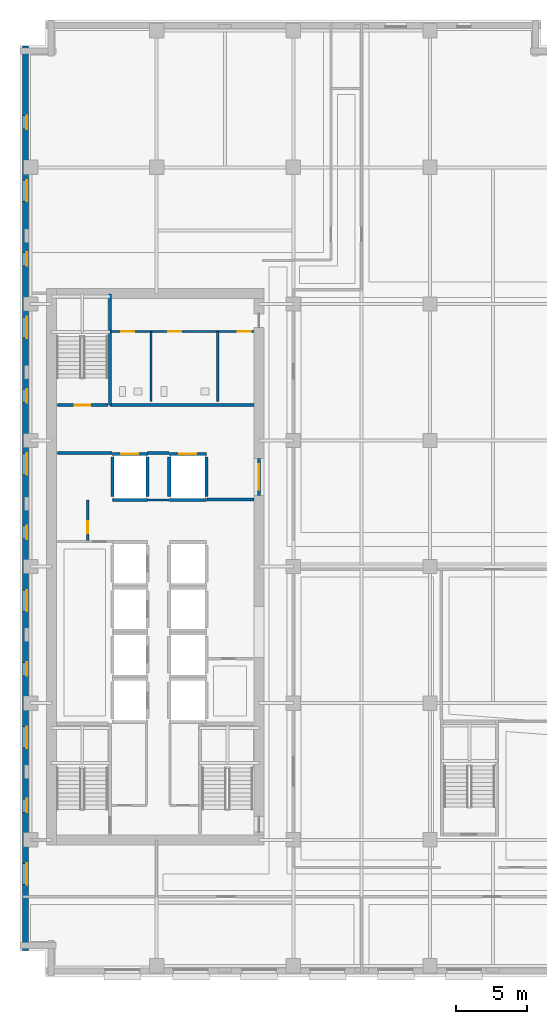
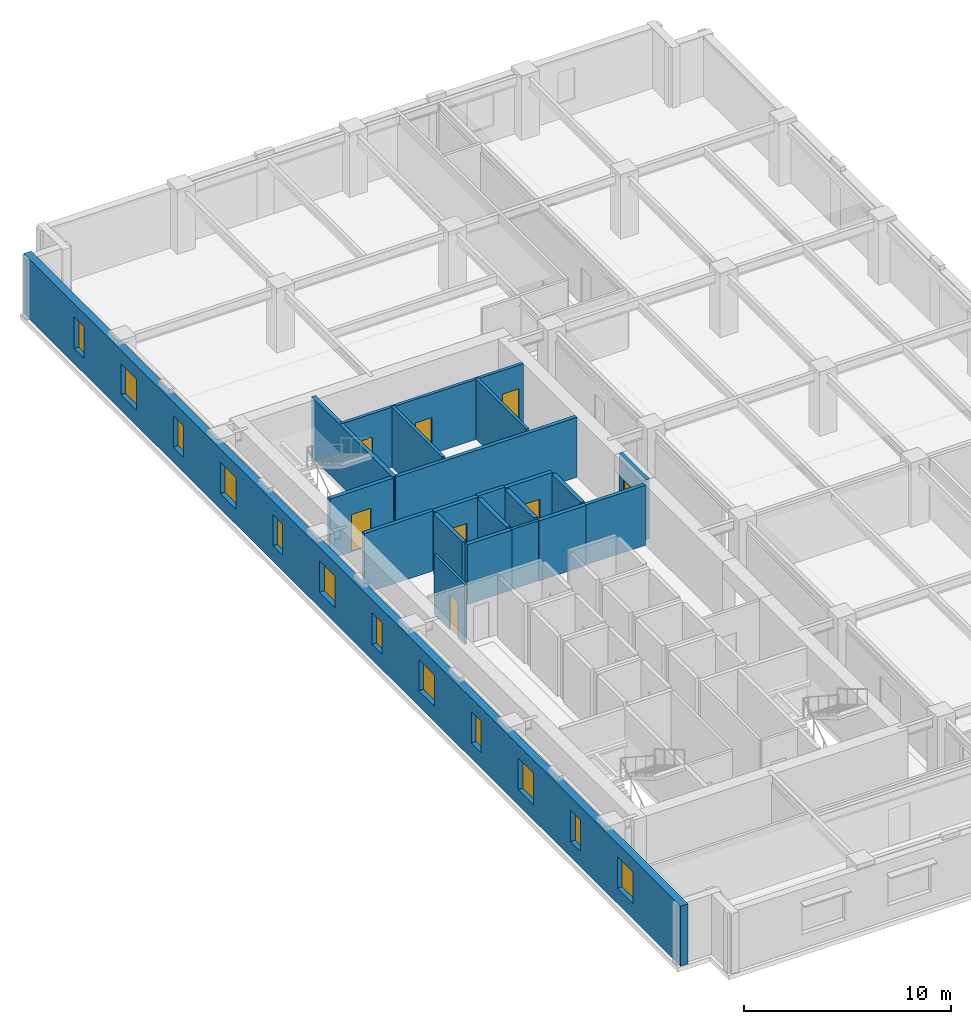
# One storey, part 6 of 12: 21 walls, 12 windows, 8 doors, 20 openings.
"""IFC4 building model written with IfcOpenShell, lengths in metres."""

from ifc_helpers import new_model, si_unit, direction, frame, frame_2d, origin, place, context, subcontext, project, spatial, rectangle, extrude, material, layer, layer_set, type_object, element, fill, save


model = new_model("IFC4")

# Units and contexts
model_context = context("Model", 3, precision=1e-05, world=origin(), true_north=direction((0.0, 1.0)))
body_context = subcontext(model_context, "Body", "Model", "MODEL_VIEW")
ifc_project = project(units=[si_unit("LENGTHUNIT", "METRE"), si_unit("AREAUNIT", "SQUARE_METRE"), si_unit("VOLUMEUNIT", "CUBIC_METRE"), si_unit("PLANEANGLEUNIT", "RADIAN"), si_unit("MASSUNIT", "GRAM", prefix="KILO")], contexts=[model_context])

# Site, building, storey
site_placement = place(None, origin())
site = spatial("IfcSite", under=ifc_project, at=site_placement, CompositionType="ELEMENT")
building_placement = place(site_placement, origin())
building = spatial("IfcBuilding", under=site, at=building_placement, Name="Norrvale University Quadrangle", CompositionType="ELEMENT")
storey_placement = place(building_placement, frame((0.0, 0.0, 135.60009765625)))
storey = spatial("IfcBuildingStorey", under=building, at=storey_placement, Name="L34", CompositionType="ELEMENT", Elevation=135.60009765625)

# Wall, openings, windows
ifc_material_1 = material(Name="Buff Norman Clay Brick Masonry", Category="masonry")
ifc_layer_1 = layer(ifc_material_1, 0.419921875, Name="Buff Norman Clay Brick Masonry")
ifc_layer_set_1 = layer_set([ifc_layer_1], Name="Buff Norman Clay Brick Masonry")
wall_type_1 = type_object("IfcWallType", Name="Wall Buff Brick 420", PredefinedType="SOLIDWALL", material=ifc_layer_set_1)
wall_1_placement = place(storey_placement, frame((0.389892578125, 65.360107421875, 0.0), z_axis=(0.0, 0.0, 1.0), x_axis=(0.0, -1.0, 0.0)))
wall_1 = element("IfcWall", 1, at=wall_1_placement, inside=storey, type_object=wall_type_1, Name="Exterior Brick Facade Wall L34-14.1", PredefinedType="SOLIDWALL", context=body_context, shape_type="SweptSolid", body=[
    extrude(rectangle(XDim=63.52001953125, YDim=0.419921875, at=frame_2d((31.760009765625, 0.0))), origin(), (0.0, 0.0, 1.0), 3.539794921875),
])
opening_1_placement = place(wall_1_placement, frame((4.885009765625, 0.0, 0.89990234375)))
opening_1 = element("IfcOpeningElement", 2, at=opening_1_placement, cuts=wall_1, Name="Opening W04", PredefinedType="OPENING", context=body_context, shape_type="SweptSolid", body=[
    extrude(rectangle(XDim=0.949951171875, YDim=1.85009765625, at=frame_2d((0.47509765625, 0.925048828125))), frame((0.0, 0.221923828125, 0.0), z_axis=(0.0, -1.0, 0.0), x_axis=(1.0, 0.0, 0.0)), (0.0, 0.0, 1.0), 0.44384765625),
])
opening_2_placement = place(wall_1_placement, frame((9.409912109375, 0.0, 0.89990234375)))
opening_2 = element("IfcOpeningElement", 3, at=opening_2_placement, cuts=wall_1, Name="Opening W03", PredefinedType="OPENING", context=body_context, shape_type="SweptSolid", body=[
    extrude(rectangle(XDim=1.5, YDim=1.85009765625, at=frame_2d((0.75, 0.925048828125))), frame((0.0, 0.221923828125, 0.0), z_axis=(0.0, -1.0, 0.0), x_axis=(1.0, 0.0, 0.0)), (0.0, 0.0, 1.0), 0.44384765625),
])
opening_3_placement = place(wall_1_placement, frame((14.485107421875, 0.0, 0.89990234375)))
opening_3 = element("IfcOpeningElement", 4, at=opening_3_placement, cuts=wall_1, Name="Opening W04", PredefinedType="OPENING", context=body_context, shape_type="SweptSolid", body=[
    extrude(rectangle(XDim=0.949951171875, YDim=1.85009765625, at=frame_2d((0.47509765625, 0.925048828125))), frame((0.0, 0.221923828125, 0.0), z_axis=(0.0, -1.0, 0.0), x_axis=(1.0, 0.0, 0.0)), (0.0, 0.0, 1.0), 0.44384765625),
])
opening_4_placement = place(wall_1_placement, frame((19.010009765625, 0.0, 0.89990234375)))
opening_4 = element("IfcOpeningElement", 5, at=opening_4_placement, cuts=wall_1, Name="Opening W03", PredefinedType="OPENING", context=body_context, shape_type="SweptSolid", body=[
    extrude(rectangle(XDim=1.5, YDim=1.85009765625, at=frame_2d((0.75, 0.925048828125))), frame((0.0, 0.221923828125, 0.0), z_axis=(0.0, -1.0, 0.0), x_axis=(1.0, 0.0, 0.0)), (0.0, 0.0, 1.0), 0.44384765625),
])
opening_5_placement = place(wall_1_placement, frame((24.0849609375, 0.0, 0.89990234375)))
opening_5 = element("IfcOpeningElement", 6, at=opening_5_placement, cuts=wall_1, Name="Opening W04", PredefinedType="OPENING", context=body_context, shape_type="SweptSolid", body=[
    extrude(rectangle(XDim=0.949951171875, YDim=1.85009765625, at=frame_2d((0.47509765625, 0.925048828125))), frame((0.0, 0.221923828125, 0.0), z_axis=(0.0, -1.0, 0.0), x_axis=(1.0, 0.0, 0.0)), (0.0, 0.0, 1.0), 0.44384765625),
])
opening_6_placement = place(wall_1_placement, frame((28.610107421875, 0.0, 0.89990234375)))
opening_6 = element("IfcOpeningElement", 7, at=opening_6_placement, cuts=wall_1, Name="Opening W03", PredefinedType="OPENING", context=body_context, shape_type="SweptSolid", body=[
    extrude(rectangle(XDim=1.5, YDim=1.85009765625, at=frame_2d((0.75, 0.925048828125))), frame((0.0, 0.221923828125, 0.0), z_axis=(0.0, -1.0, 0.0), x_axis=(1.0, 0.0, 0.0)), (0.0, 0.0, 1.0), 0.44384765625),
])
opening_7_placement = place(wall_1_placement, frame((33.68505859375, 0.0, 0.89990234375)))
opening_7 = element("IfcOpeningElement", 8, at=opening_7_placement, cuts=wall_1, Name="Opening W04", PredefinedType="OPENING", context=body_context, shape_type="SweptSolid", body=[
    extrude(rectangle(XDim=0.949951171875, YDim=1.85009765625, at=frame_2d((0.47509765625, 0.925048828125))), frame((0.0, 0.221923828125, 0.0), z_axis=(0.0, -1.0, 0.0), x_axis=(1.0, 0.0, 0.0)), (0.0, 0.0, 1.0), 0.44384765625),
])
opening_8_placement = place(wall_1_placement, frame((38.2099609375, 0.0, 0.89990234375)))
opening_8 = element("IfcOpeningElement", 9, at=opening_8_placement, cuts=wall_1, Name="Opening W03", PredefinedType="OPENING", context=body_context, shape_type="SweptSolid", body=[
    extrude(rectangle(XDim=1.5, YDim=1.85009765625, at=frame_2d((0.75, 0.925048828125))), frame((0.0, 0.221923828125, 0.0), z_axis=(0.0, -1.0, 0.0), x_axis=(1.0, 0.0, 0.0)), (0.0, 0.0, 1.0), 0.44384765625),
])
opening_9_placement = place(wall_1_placement, frame((43.284912109375, 0.0, 0.89990234375)))
opening_9 = element("IfcOpeningElement", 10, at=opening_9_placement, cuts=wall_1, Name="Opening W04", PredefinedType="OPENING", context=body_context, shape_type="SweptSolid", body=[
    extrude(rectangle(XDim=0.949951171875, YDim=1.85009765625, at=frame_2d((0.47509765625, 0.925048828125))), frame((0.0, 0.221923828125, 0.0), z_axis=(0.0, -1.0, 0.0), x_axis=(1.0, 0.0, 0.0)), (0.0, 0.0, 1.0), 0.44384765625),
])
opening_10_placement = place(wall_1_placement, frame((47.81005859375, 0.0, 0.89990234375)))
opening_10 = element("IfcOpeningElement", 11, at=opening_10_placement, cuts=wall_1, Name="Opening W03", PredefinedType="OPENING", context=body_context, shape_type="SweptSolid", body=[
    extrude(rectangle(XDim=1.5, YDim=1.85009765625, at=frame_2d((0.75, 0.925048828125))), frame((0.0, 0.221923828125, 0.0), z_axis=(0.0, -1.0, 0.0), x_axis=(1.0, 0.0, 0.0)), (0.0, 0.0, 1.0), 0.44384765625),
])
opening_11_placement = place(wall_1_placement, frame((52.885009765625, 0.0, 0.89990234375)))
opening_11 = element("IfcOpeningElement", 12, at=opening_11_placement, cuts=wall_1, Name="Opening W04", PredefinedType="OPENING", context=body_context, shape_type="SweptSolid", body=[
    extrude(rectangle(XDim=0.949951171875, YDim=1.85009765625, at=frame_2d((0.47509765625, 0.925048828125))), frame((0.0, 0.221923828125, 0.0), z_axis=(0.0, -1.0, 0.0), x_axis=(1.0, 0.0, 0.0)), (0.0, 0.0, 1.0), 0.44384765625),
])
opening_12_placement = place(wall_1_placement, frame((57.409912109375, 0.0, 0.89990234375)))
opening_12 = element("IfcOpeningElement", 13, at=opening_12_placement, cuts=wall_1, Name="Opening W03", PredefinedType="OPENING", context=body_context, shape_type="SweptSolid", body=[
    extrude(rectangle(XDim=1.5, YDim=1.85009765625, at=frame_2d((0.75, 0.925048828125))), frame((0.0, 0.221923828125, 0.0), z_axis=(0.0, -1.0, 0.0), x_axis=(1.0, 0.0, 0.0)), (0.0, 0.0, 1.0), 0.44384765625),
])
ifc_material_2 = material(Name="Triple Low-E Argon Glazing", Category="glass")
window_type_1 = type_object("IfcWindowType", Name="Window Narrow Pier 950x2300", PartitioningType="SINGLE_PANEL", PredefinedType="WINDOW", material=ifc_material_2)
window_1_placement = place(opening_1_placement, origin())
window_1 = element("IfcWindow", 14, at=window_1_placement, inside=storey, type_object=window_type_1, Name="Window Narrow Pier 950x2300 WIN-L34-E14-1-01", OverallHeight=1.85009765625, OverallWidth=0.949951171875, PartitioningType="SINGLE_PANEL", PredefinedType="WINDOW", context=body_context, shape_type="SweptSolid", body=[
    extrude(rectangle(XDim=0.949951171875, YDim=1.85009765625, at=frame_2d((0.47509765625, 0.925048828125))), frame((0.0, 0.110107421875, 0.0), z_axis=(0.0, -1.0, 0.0), x_axis=(1.0, 0.0, 0.0)), (0.0, 0.0, 1.0), 0.06005859375),
])
fill(opening_1, window_1)
window_2_placement = place(opening_3_placement, origin())
window_2 = element("IfcWindow", 15, at=window_2_placement, inside=storey, type_object=window_type_1, Name="Window Narrow Pier 950x2300 WIN-L34-E14-1-03", OverallHeight=1.85009765625, OverallWidth=0.949951171875, PartitioningType="SINGLE_PANEL", PredefinedType="WINDOW", context=body_context, shape_type="SweptSolid", body=[
    extrude(rectangle(XDim=0.949951171875, YDim=1.85009765625, at=frame_2d((0.47509765625, 0.925048828125))), frame((0.0, 0.110107421875, 0.0), z_axis=(0.0, -1.0, 0.0), x_axis=(1.0, 0.0, 0.0)), (0.0, 0.0, 1.0), 0.06005859375),
])
fill(opening_3, window_2)
window_3_placement = place(opening_5_placement, origin())
window_3 = element("IfcWindow", 16, at=window_3_placement, inside=storey, type_object=window_type_1, Name="Window Narrow Pier 950x2300 WIN-L34-E14-1-05", OverallHeight=1.85009765625, OverallWidth=0.949951171875, PartitioningType="SINGLE_PANEL", PredefinedType="WINDOW", context=body_context, shape_type="SweptSolid", body=[
    extrude(rectangle(XDim=0.949951171875, YDim=1.85009765625, at=frame_2d((0.47509765625, 0.925048828125))), frame((0.0, 0.110107421875, 0.0), z_axis=(0.0, -1.0, 0.0), x_axis=(1.0, 0.0, 0.0)), (0.0, 0.0, 1.0), 0.06005859375),
])
fill(opening_5, window_3)
window_4_placement = place(opening_7_placement, origin())
window_4 = element("IfcWindow", 17, at=window_4_placement, inside=storey, type_object=window_type_1, Name="Window Narrow Pier 950x2300 WIN-L34-E14-1-07", OverallHeight=1.85009765625, OverallWidth=0.949951171875, PartitioningType="SINGLE_PANEL", PredefinedType="WINDOW", context=body_context, shape_type="SweptSolid", body=[
    extrude(rectangle(XDim=0.949951171875, YDim=1.85009765625, at=frame_2d((0.47509765625, 0.925048828125))), frame((0.0, 0.110107421875, 0.0), z_axis=(0.0, -1.0, 0.0), x_axis=(1.0, 0.0, 0.0)), (0.0, 0.0, 1.0), 0.06005859375),
])
fill(opening_7, window_4)
window_5_placement = place(opening_9_placement, origin())
window_5 = element("IfcWindow", 18, at=window_5_placement, inside=storey, type_object=window_type_1, Name="Window Narrow Pier 950x2300 WIN-L34-E14-1-09", OverallHeight=1.85009765625, OverallWidth=0.949951171875, PartitioningType="SINGLE_PANEL", PredefinedType="WINDOW", context=body_context, shape_type="SweptSolid", body=[
    extrude(rectangle(XDim=0.949951171875, YDim=1.85009765625, at=frame_2d((0.47509765625, 0.925048828125))), frame((0.0, 0.110107421875, 0.0), z_axis=(0.0, -1.0, 0.0), x_axis=(1.0, 0.0, 0.0)), (0.0, 0.0, 1.0), 0.06005859375),
])
fill(opening_9, window_5)
window_6_placement = place(opening_11_placement, origin())
window_6 = element("IfcWindow", 19, at=window_6_placement, inside=storey, type_object=window_type_1, Name="Window Narrow Pier 950x2300 WIN-L34-E14-1-11", OverallHeight=1.85009765625, OverallWidth=0.949951171875, PartitioningType="SINGLE_PANEL", PredefinedType="WINDOW", context=body_context, shape_type="SweptSolid", body=[
    extrude(rectangle(XDim=0.949951171875, YDim=1.85009765625, at=frame_2d((0.47509765625, 0.925048828125))), frame((0.0, 0.110107421875, 0.0), z_axis=(0.0, -1.0, 0.0), x_axis=(1.0, 0.0, 0.0)), (0.0, 0.0, 1.0), 0.06005859375),
])
fill(opening_11, window_6)
window_type_2 = type_object("IfcWindowType", Name="Window Studio 1500x2300", PartitioningType="DOUBLE_PANEL_VERTICAL", PredefinedType="WINDOW", material=ifc_material_2)
window_7_placement = place(opening_2_placement, origin())
window_7 = element("IfcWindow", 20, at=window_7_placement, inside=storey, type_object=window_type_2, Name="Window Studio 1500x2300 WIN-L34-E14-1-02", OverallHeight=1.85009765625, OverallWidth=1.5, PartitioningType="DOUBLE_PANEL_VERTICAL", PredefinedType="WINDOW", context=body_context, shape_type="SweptSolid", body=[
    extrude(rectangle(XDim=1.5, YDim=1.85009765625, at=frame_2d((0.75, 0.925048828125))), frame((0.0, 0.110107421875, 0.0), z_axis=(0.0, -1.0, 0.0), x_axis=(1.0, 0.0, 0.0)), (0.0, 0.0, 1.0), 0.06005859375),
])
fill(opening_2, window_7)
window_8_placement = place(opening_4_placement, origin())
window_8 = element("IfcWindow", 21, at=window_8_placement, inside=storey, type_object=window_type_2, Name="Window Studio 1500x2300 WIN-L34-E14-1-04", OverallHeight=1.85009765625, OverallWidth=1.5, PartitioningType="DOUBLE_PANEL_VERTICAL", PredefinedType="WINDOW", context=body_context, shape_type="SweptSolid", body=[
    extrude(rectangle(XDim=1.5, YDim=1.85009765625, at=frame_2d((0.75, 0.925048828125))), frame((0.0, 0.110107421875, 0.0), z_axis=(0.0, -1.0, 0.0), x_axis=(1.0, 0.0, 0.0)), (0.0, 0.0, 1.0), 0.06005859375),
])
fill(opening_4, window_8)
window_9_placement = place(opening_6_placement, origin())
window_9 = element("IfcWindow", 22, at=window_9_placement, inside=storey, type_object=window_type_2, Name="Window Studio 1500x2300 WIN-L34-E14-1-06", OverallHeight=1.85009765625, OverallWidth=1.5, PartitioningType="DOUBLE_PANEL_VERTICAL", PredefinedType="WINDOW", context=body_context, shape_type="SweptSolid", body=[
    extrude(rectangle(XDim=1.5, YDim=1.85009765625, at=frame_2d((0.75, 0.925048828125))), frame((0.0, 0.110107421875, 0.0), z_axis=(0.0, -1.0, 0.0), x_axis=(1.0, 0.0, 0.0)), (0.0, 0.0, 1.0), 0.06005859375),
])
fill(opening_6, window_9)
window_10_placement = place(opening_8_placement, origin())
window_10 = element("IfcWindow", 23, at=window_10_placement, inside=storey, type_object=window_type_2, Name="Window Studio 1500x2300 WIN-L34-E14-1-08", OverallHeight=1.85009765625, OverallWidth=1.5, PartitioningType="DOUBLE_PANEL_VERTICAL", PredefinedType="WINDOW", context=body_context, shape_type="SweptSolid", body=[
    extrude(rectangle(XDim=1.5, YDim=1.85009765625, at=frame_2d((0.75, 0.925048828125))), frame((0.0, 0.110107421875, 0.0), z_axis=(0.0, -1.0, 0.0), x_axis=(1.0, 0.0, 0.0)), (0.0, 0.0, 1.0), 0.06005859375),
])
fill(opening_8, window_10)
window_11_placement = place(opening_10_placement, origin())
window_11 = element("IfcWindow", 24, at=window_11_placement, inside=storey, type_object=window_type_2, Name="Window Studio 1500x2300 WIN-L34-E14-1-10", OverallHeight=1.85009765625, OverallWidth=1.5, PartitioningType="DOUBLE_PANEL_VERTICAL", PredefinedType="WINDOW", context=body_context, shape_type="SweptSolid", body=[
    extrude(rectangle(XDim=1.5, YDim=1.85009765625, at=frame_2d((0.75, 0.925048828125))), frame((0.0, 0.110107421875, 0.0), z_axis=(0.0, -1.0, 0.0), x_axis=(1.0, 0.0, 0.0)), (0.0, 0.0, 1.0), 0.06005859375),
])
fill(opening_10, window_11)
window_12_placement = place(opening_12_placement, origin())
window_12 = element("IfcWindow", 25, at=window_12_placement, inside=storey, type_object=window_type_2, Name="Window Studio 1500x2300 WIN-L34-E14-1-12", OverallHeight=1.85009765625, OverallWidth=1.5, PartitioningType="DOUBLE_PANEL_VERTICAL", PredefinedType="WINDOW", context=body_context, shape_type="SweptSolid", body=[
    extrude(rectangle(XDim=1.5, YDim=1.85009765625, at=frame_2d((0.75, 0.925048828125))), frame((0.0, 0.110107421875, 0.0), z_axis=(0.0, -1.0, 0.0), x_axis=(1.0, 0.0, 0.0)), (0.0, 0.0, 1.0), 0.06005859375),
])
fill(opening_12, window_12)

# Wall
ifc_material_3 = material(Name="Fire-Rated Gypsum Stud Partition")
ifc_layer_2 = layer(ifc_material_3, 0.14990234375, Name="Fire-Rated Gypsum Stud Partition")
ifc_layer_set_2 = layer_set([ifc_layer_2], Name="Fire-Rated Gypsum Stud Partition")
wall_type_2 = type_object("IfcWallType", Name="Wall Gypsum Corridor 150", PredefinedType="PARTITIONING", material=ifc_layer_set_2)
wall_2_placement = place(storey_placement, frame((8.965087890625, 33.489990234375, 0.0), z_axis=(0.0, 0.0, 1.0), x_axis=(1.0, 0.0, 0.0)))
element("IfcWall", 26, at=wall_2_placement, inside=storey, type_object=wall_type_2, Name="Interior Partition WL-L34-LL3", PredefinedType="PARTITIONING", context=body_context, shape_type="SweptSolid", body=[
    extrude(rectangle(XDim=1.52001953125, YDim=0.14990234375, at=frame_2d((0.760009765625, 0.0))), origin(), (0.0, 0.0, 1.0), 3.539794921875),
])

# Wall, opening, door
wall_3_placement = place(storey_placement, frame((4.760009765625, 30.550048828125, 0.0), z_axis=(0.0, 0.0, 1.0), x_axis=(0.0, 1.0, 0.0)))
wall_3 = element("IfcWall", 27, at=wall_3_placement, inside=storey, type_object=wall_type_2, Name="Interior Partition WL-L34-WME-E", PredefinedType="PARTITIONING", context=body_context, shape_type="SweptSolid", body=[
    extrude(rectangle(XDim=2.929931640625, YDim=0.14990234375, at=frame_2d((1.46484375, 0.0))), origin(), (0.0, 0.0, 1.0), 3.539794921875),
])
opening_13_placement = place(wall_3_placement, frame((0.60009765625, 0.0, 0.0)))
opening_13 = element("IfcOpeningElement", 28, at=opening_13_placement, cuts=wall_3, Name="Opening D10", PredefinedType="OPENING", context=body_context, shape_type="SweptSolid", body=[
    extrude(rectangle(XDim=0.85009765625, YDim=2.10009765625, at=frame_2d((0.425048828125, 1.050048828125))), frame((0.0, 0.0869140625, 0.0), z_axis=(0.0, -1.0, 0.0), x_axis=(1.0, 0.0, 0.0)), (0.0, 0.0, 1.0), 0.173828125),
])
ifc_material_4 = material(Name="Hollow Steel 350W Riser Fire Door", Category="steel")
door_type_1 = type_object("IfcDoorType", Name="Door Riser 850x2100", OperationType="NOTDEFINED", PredefinedType="DOOR", material=ifc_material_4)
door_1_placement = place(opening_13_placement, origin())
door_1 = element("IfcDoor", 29, at=door_1_placement, inside=storey, type_object=door_type_1, Name="Door Riser 850x2100 DR-L34-WME", OperationType="SINGLE_SWING_LEFT", OverallHeight=2.10009765625, OverallWidth=0.85009765625, PredefinedType="DOOR", context=body_context, shape_type="SweptSolid", body=[
    extrude(rectangle(XDim=0.85009765625, YDim=2.10009765625, at=frame_2d((0.425048828125, 1.050048828125))), frame((0.0, 0.02490234375, 0.0), z_axis=(0.0, -1.0, 0.0), x_axis=(1.0, 0.0, 0.0)), (0.0, 0.0, 1.0), 0.050048828125),
])
fill(opening_13, door_1)

# Wall, openings, doors
ifc_material_5 = material(Name="Sanitary Chase Gypsum Partition")
ifc_layer_3 = layer(ifc_material_5, 0.1650390625, Name="Sanitary Chase Gypsum Partition")
ifc_layer_set_3 = layer_set([ifc_layer_3], Name="Sanitary Chase Gypsum Partition")
wall_type_3 = type_object("IfcWallType", Name="Wall Gypsum Sanitary 165", PredefinedType="PLUMBINGWALL", material=ifc_layer_set_3)
wall_4_placement = place(storey_placement, frame((6.320068359375, 45.320068359375, 0.0), z_axis=(0.0, 0.0, 1.0), x_axis=(1.0, 0.0, 0.0)))
wall_4 = element("IfcWall", 30, at=wall_4_placement, inside=storey, type_object=wall_type_3, Name="Interior Partition WL-L34-WCN", PredefinedType="PLUMBINGWALL", context=body_context, shape_type="SweptSolid", body=[
    extrude(rectangle(XDim=10.1298828125, YDim=0.1650390625, at=frame_2d((5.06494140625, 0.0))), origin(), (0.0, 0.0, 1.0), 3.539794921875),
])
opening_14_placement = place(wall_4_placement, frame((0.800048828125, 0.0, 0.0)))
opening_14 = element("IfcOpeningElement", 31, at=opening_14_placement, cuts=wall_4, Name="Opening D08", PredefinedType="OPENING", context=body_context, shape_type="SweptSolid", body=[
    extrude(rectangle(XDim=0.919921875, YDim=2.14990234375, at=frame_2d((0.4599609375, 1.074951171875))), frame((0.0, 0.094482421875, 0.0), z_axis=(0.0, -1.0, 0.0), x_axis=(1.0, 0.0, 0.0)), (0.0, 0.0, 1.0), 0.18896484375),
])
opening_15_placement = place(wall_4_placement, frame((4.10009765625, 0.0, 0.0)))
opening_15 = element("IfcOpeningElement", 32, at=opening_15_placement, cuts=wall_4, Name="Opening D08", PredefinedType="OPENING", context=body_context, shape_type="SweptSolid", body=[
    extrude(rectangle(XDim=0.919921875, YDim=2.14990234375, at=frame_2d((0.4599609375, 1.074951171875))), frame((0.0, 0.094482421875, 0.0), z_axis=(0.0, -1.0, 0.0), x_axis=(1.0, 0.0, 0.0)), (0.0, 0.0, 1.0), 0.18896484375),
])
opening_16_placement = place(wall_4_placement, frame((8.97998046875, 0.0, 0.0)))
opening_16 = element("IfcOpeningElement", 33, at=opening_16_placement, cuts=wall_4, Name="Opening D08", PredefinedType="OPENING", context=body_context, shape_type="SweptSolid", body=[
    extrude(rectangle(XDim=0.919921875, YDim=2.14990234375, at=frame_2d((0.4599609375, 1.074951171875))), frame((0.0, 0.094482421875, 0.0), z_axis=(0.0, -1.0, 0.0), x_axis=(1.0, 0.0, 0.0)), (0.0, 0.0, 1.0), 0.18896484375),
])
ifc_material_6 = material(Name="Laminate Washroom Door", Category="wood")
door_type_2 = type_object("IfcDoorType", Name="Door Washroom 920x2150", OperationType="NOTDEFINED", PredefinedType="DOOR", material=ifc_material_6)
door_2_placement = place(opening_14_placement, origin())
door_2 = element("IfcDoor", 34, at=door_2_placement, inside=storey, type_object=door_type_2, Name="Door Washroom 920x2150 DR-L34-WC1", OperationType="SINGLE_SWING_LEFT", OverallHeight=2.14990234375, OverallWidth=0.919921875, PredefinedType="DOOR", context=body_context, shape_type="SweptSolid", body=[
    extrude(rectangle(XDim=0.919921875, YDim=2.14990234375, at=frame_2d((0.4599609375, 1.074951171875))), frame((0.0, 0.02490234375, 0.0), z_axis=(0.0, -1.0, 0.0), x_axis=(1.0, 0.0, 0.0)), (0.0, 0.0, 1.0), 0.050048828125),
])
fill(opening_14, door_2)
door_3_placement = place(opening_15_placement, origin())
door_3 = element("IfcDoor", 35, at=door_3_placement, inside=storey, type_object=door_type_2, Name="Door Washroom 920x2150 DR-L34-WC2", OperationType="SINGLE_SWING_RIGHT", OverallHeight=2.14990234375, OverallWidth=0.919921875, PredefinedType="DOOR", context=body_context, shape_type="SweptSolid", body=[
    extrude(rectangle(XDim=0.919921875, YDim=2.14990234375, at=frame_2d((0.4599609375, 1.074951171875))), frame((0.0, 0.02490234375, 0.0), z_axis=(0.0, -1.0, 0.0), x_axis=(1.0, 0.0, 0.0)), (0.0, 0.0, 1.0), 0.050048828125),
])
fill(opening_15, door_3)
door_4_placement = place(opening_16_placement, origin())
door_4 = element("IfcDoor", 36, at=door_4_placement, inside=storey, type_object=door_type_2, Name="Door Washroom 920x2150 DR-L34-WC3", OperationType="SINGLE_SWING_LEFT", OverallHeight=2.14990234375, OverallWidth=0.919921875, PredefinedType="DOOR", context=body_context, shape_type="SweptSolid", body=[
    extrude(rectangle(XDim=0.919921875, YDim=2.14990234375, at=frame_2d((0.4599609375, 1.074951171875))), frame((0.0, 0.02490234375, 0.0), z_axis=(0.0, -1.0, 0.0), x_axis=(1.0, 0.0, 0.0)), (0.0, 0.0, 1.0), 0.050048828125),
])
fill(opening_16, door_4)

# Walls
for number, where, z_axis, x_axis, name in (
    (37, (9.199951171875, 40.39990234375, 0.0), (0.0, 0.0, 1.0), (0.0, 1.0, 0.0), "Interior Partition WL-L34-WCM1"),
    (38, (13.89990234375, 40.39990234375, 0.0), (0.0, 0.0, 1.0), (0.0, 1.0, 0.0), "Interior Partition WL-L34-WCM2"),
):
    element("IfcWall", number, at=place(storey_placement, frame(where, z_axis=z_axis, x_axis=x_axis)), inside=storey, type_object=wall_type_3, Name=name, PredefinedType="PLUMBINGWALL", context=body_context, shape_type="SweptSolid", body=[
        extrude(rectangle(XDim=4.920166015625, YDim=0.1650390625, at=frame_2d((2.4599609375, 0.0))), origin(), (0.0, 0.0, 1.0), 3.539794921875),
    ])
ifc_material_7 = material(Name="Concrete Blockwork 20 MPa Rated Wall", Category="masonry")
ifc_layer_4 = layer(ifc_material_7, 0.199951171875, Name="Concrete Blockwork 20 MPa Rated Wall")
ifc_layer_set_4 = layer_set([ifc_layer_4], Name="Concrete Blockwork 20 MPa Rated Wall")
wall_type_4 = type_object("IfcWallType", Name="Wall Lobby 200", PredefinedType="SOLIDWALL", material=ifc_layer_set_4)
wall_5_placement = place(storey_placement, frame((2.64990234375, 36.780029296875, 0.0), z_axis=(0.0, 0.0, 1.0), x_axis=(1.0, 0.0, 0.0)))
element("IfcWall", 39, at=wall_5_placement, inside=storey, type_object=wall_type_4, Name="Interior Partition WL-L34-FF1", PredefinedType="SOLIDWALL", context=body_context, shape_type="SweptSolid", body=[
    extrude(rectangle(XDim=3.830078125, YDim=0.199951171875, at=frame_2d((1.9150390625, 0.0))), origin(), (0.0, 0.0, 1.0), 3.539794921875),
])
wall_6_placement = place(storey_placement, frame((8.969970703125, 36.780029296875, 0.0), z_axis=(0.0, 0.0, 1.0), x_axis=(1.0, 0.0, 0.0)))
element("IfcWall", 40, at=wall_6_placement, inside=storey, type_object=wall_type_4, Name="Interior Partition WL-L34-FF2", PredefinedType="SOLIDWALL", context=body_context, shape_type="SweptSolid", body=[
    extrude(rectangle(XDim=1.510009765625, YDim=0.199951171875, at=frame_2d((0.7548828125, 0.0))), origin(), (0.0, 0.0, 1.0), 3.539794921875),
])
wall_7_placement = place(storey_placement, frame((13.1201171875, 33.52001953125, 0.0), z_axis=(0.0, 0.0, 1.0), x_axis=(1.0, 0.0, 0.0)))
element("IfcWall", 41, at=wall_7_placement, inside=storey, type_object=wall_type_4, Name="Interior Partition WL-L34-FF3", PredefinedType="SOLIDWALL", context=body_context, shape_type="SweptSolid", body=[
    extrude(rectangle(XDim=3.329833984375, YDim=0.199951171875, at=frame_2d((1.6650390625, 0.0))), origin(), (0.0, 0.0, 1.0), 3.539794921875),
])
wall_8_placement = place(storey_placement, frame((6.320068359375, 40.139892578125, 0.0), z_axis=(0.0, 0.0, 1.0), x_axis=(1.0, 0.0, 0.0)))
element("IfcWall", 42, at=wall_8_placement, inside=storey, type_object=wall_type_4, Name="Interior Partition WL-L34-FF4", PredefinedType="SOLIDWALL", context=body_context, shape_type="SweptSolid", body=[
    extrude(rectangle(XDim=10.1298828125, YDim=0.199951171875, at=frame_2d((5.06494140625, 0.0))), origin(), (0.0, 0.0, 1.0), 3.539794921875),
])

# Wall, opening, door
wall_9_placement = place(storey_placement, frame((16.800048828125, 33.800048828125, 0.0), z_axis=(0.0, 0.0, 1.0), x_axis=(0.0, 1.0, 0.0)))
wall_9 = element("IfcWall", 43, at=wall_9_placement, inside=storey, type_object=wall_type_4, Name="Interior Partition WL-L34-FFP", PredefinedType="SOLIDWALL", context=body_context, shape_type="SweptSolid", body=[
    extrude(rectangle(XDim=2.599853515625, YDim=0.199951171875, at=frame_2d((1.2998046875, 0.0))), origin(), (0.0, 0.0, 1.0), 3.539794921875),
])
opening_17_placement = place(wall_9_placement, frame((0.39990234375, 0.0, 0.0)))
opening_17 = element("IfcOpeningElement", 44, at=opening_17_placement, cuts=wall_9, Name="Opening D03", PredefinedType="OPENING", context=body_context, shape_type="SweptSolid", body=[
    extrude(rectangle(XDim=1.800048828125, YDim=2.199951171875, at=frame_2d((0.89990234375, 1.10009765625))), frame((0.0, 0.112060546875, 0.0), z_axis=(0.0, -1.0, 0.0), x_axis=(1.0, 0.0, 0.0)), (0.0, 0.0, 1.0), 0.223876953125),
])
ifc_material_8 = material(Name="Hollow Steel 350W Fire Door", Category="steel")
door_type_3 = type_object("IfcDoorType", Name="Door Fire Lobby 1800x2200", OperationType="DOUBLE_DOOR_SINGLE_SWING", PredefinedType="DOOR", material=ifc_material_8)
door_5_placement = place(opening_17_placement, origin())
door_5 = element("IfcDoor", 45, at=door_5_placement, inside=storey, type_object=door_type_3, Name="Door Fire Lobby 1800x2200 DR-L34-FFP", OperationType="DOUBLE_DOOR_SINGLE_SWING", OverallHeight=2.199951171875, OverallWidth=1.800048828125, PredefinedType="DOOR", context=body_context, shape_type="SweptSolid", body=[
    extrude(rectangle(XDim=1.800048828125, YDim=2.199951171875, at=frame_2d((0.89990234375, 1.10009765625))), frame((0.0, 0.02490234375, 0.0), z_axis=(0.0, -1.0, 0.0), x_axis=(1.0, 0.0, 0.0)), (0.0, 0.0, 1.0), 0.050048828125),
])
fill(opening_17, door_5)

ifc_material_9 = material(Name="Concrete Blockwork 20 MPa Fire Shaft", Category="masonry")
ifc_layer_5 = layer(ifc_material_9, 0.219970703125, Name="Concrete Blockwork 20 MPa Fire Shaft")
ifc_layer_set_5 = layer_set([ifc_layer_5], Name="Concrete Blockwork 20 MPa Fire Shaft")
wall_type_5 = type_object("IfcWallType", Name="Wall Shaft 220", PredefinedType="SOLIDWALL", material=ifc_layer_set_5)
wall_10_placement = place(storey_placement, frame((2.64990234375, 40.139892578125, 0.0), z_axis=(0.0, 0.0, 1.0), x_axis=(1.0, 0.0, 0.0)))
wall_10 = element("IfcWall", 46, at=wall_10_placement, inside=storey, type_object=wall_type_5, Name="Stair ST-02 South Shaft Wall L34", PredefinedType="SOLIDWALL", context=body_context, shape_type="SweptSolid", body=[
    extrude(rectangle(XDim=3.550048828125, YDim=0.219970703125, at=frame_2d((1.77490234375, 0.0))), origin(), (0.0, 0.0, 1.0), 3.539794921875),
])
opening_18_placement = place(wall_10_placement, frame((1.199951171875, 0.0, 0.0)))
opening_18 = element("IfcOpeningElement", 47, at=opening_18_placement, cuts=wall_10, Name="Opening D02", PredefinedType="OPENING", context=body_context, shape_type="SweptSolid", body=[
    extrude(rectangle(XDim=1.10009765625, YDim=2.199951171875, at=frame_2d((0.550048828125, 1.10009765625))), frame((0.0, 0.1220703125, 0.0), z_axis=(0.0, -1.0, 0.0), x_axis=(1.0, 0.0, 0.0)), (0.0, 0.0, 1.0), 0.243896484375),
])
door_type_4 = type_object("IfcDoorType", Name="Door Stair Exit 1100x2200", OperationType="NOTDEFINED", PredefinedType="DOOR", material=ifc_material_8)
door_6_placement = place(opening_18_placement, origin())
door_6 = element("IfcDoor", 48, at=door_6_placement, inside=storey, type_object=door_type_4, Name="Door Stair Exit 1100x2200 DR-L34-ST02", OperationType="SINGLE_SWING_LEFT", OverallHeight=2.199951171875, OverallWidth=1.10009765625, PredefinedType="DOOR", context=body_context, shape_type="SweptSolid", body=[
    extrude(rectangle(XDim=1.10009765625, YDim=2.199951171875, at=frame_2d((0.550048828125, 1.10009765625))), frame((0.0, 0.02490234375, 0.0), z_axis=(0.0, -1.0, 0.0), x_axis=(1.0, 0.0, 0.0)), (0.0, 0.0, 1.0), 0.050048828125),
])
fill(opening_18, door_6)

# Walls
wall_11_placement = place(storey_placement, frame((6.31005859375, 40.139892578125, 0.0), z_axis=(0.0, 0.0, 1.0), x_axis=(0.0, 1.0, 0.0)))
element("IfcWall", 49, at=wall_11_placement, inside=storey, type_object=wall_type_5, Name="Stair ST-02 East Shaft Wall L34", PredefinedType="SOLIDWALL", context=body_context, shape_type="SweptSolid", body=[
    extrude(rectangle(XDim=7.81005859375, YDim=0.219970703125, at=frame_2d((3.905029296875, 0.0))), origin(), (0.0, 0.0, 1.0), 3.539794921875),
])
for number, where, z_axis, x_axis, name in (
    (50, (6.489990234375, 33.7099609375, 0.0), (0.0, 0.0, 1.0), (0.0, 1.0, 0.0), "Hoistway FFL-01 West Wall L34"),
    (51, (8.9599609375, 33.7099609375, 0.0), (0.0, 0.0, 1.0), (0.0, 1.0, 0.0), "Hoistway FFL-01 East Wall L34"),
):
    element("IfcWall", number, at=place(storey_placement, frame(where, z_axis=z_axis, x_axis=x_axis)), inside=storey, type_object=wall_type_5, Name=name, PredefinedType="SOLIDWALL", context=body_context, shape_type="SweptSolid", body=[
        extrude(rectangle(XDim=2.780029296875, YDim=0.219970703125, at=frame_2d((1.39013671875, 0.0))), origin(), (0.0, 0.0, 1.0), 3.539794921875),
    ])
wall_12_placement = place(storey_placement, frame((6.489990234375, 33.489990234375, 0.0), z_axis=(0.0, 0.0, 1.0), x_axis=(1.0, 0.0, 0.0)))
element("IfcWall", 52, at=wall_12_placement, inside=storey, type_object=wall_type_5, Name="Hoistway FFL-01 South Wall L34", PredefinedType="SOLIDWALL", context=body_context, shape_type="SweptSolid", body=[
    extrude(rectangle(XDim=2.469970703125, YDim=0.219970703125, at=frame_2d((1.23486328125, 0.0))), origin(), (0.0, 0.0, 1.0), 3.539794921875),
])

# Wall, opening, door
wall_13_placement = place(storey_placement, frame((6.489990234375, 36.7099609375, 0.0), z_axis=(0.0, 0.0, 1.0), x_axis=(1.0, 0.0, 0.0)))
wall_13 = element("IfcWall", 53, at=wall_13_placement, inside=storey, type_object=wall_type_5, Name="Hoistway FFL-01 North Wall L34", PredefinedType="SOLIDWALL", context=body_context, shape_type="SweptSolid", body=[
    extrude(rectangle(XDim=2.469970703125, YDim=0.219970703125, at=frame_2d((1.23486328125, 0.0))), origin(), (0.0, 0.0, 1.0), 3.539794921875),
])
opening_19_placement = place(wall_13_placement, frame((0.635009765625, 0.0, 0.0)))
opening_19 = element("IfcOpeningElement", 54, at=opening_19_placement, cuts=wall_13, Name="Opening LD2", PredefinedType="OPENING", context=body_context, shape_type="SweptSolid", body=[
    extrude(rectangle(XDim=1.199951171875, YDim=2.199951171875, at=frame_2d((0.60009765625, 1.10009765625))), frame((0.0, 0.1220703125, 0.0), z_axis=(0.0, -1.0, 0.0), x_axis=(1.0, 0.0, 0.0)), (0.0, 0.0, 1.0), 0.243896484375),
])
ifc_material_10 = material(Name="Stainless Steel 316L Firefighter Lift Door", Category="steel")
door_type_5 = type_object("IfcDoorType", Name="Door Fire Lift 1200x2200", OperationType="DOUBLE_DOOR_SLIDING", PredefinedType="DOOR", material=ifc_material_10)
door_7_placement = place(opening_19_placement, origin())
door_7 = element("IfcDoor", 55, at=door_7_placement, inside=storey, type_object=door_type_5, Name="Elevator Landing Door DR-L34-FFL-01", OperationType="DOUBLE_DOOR_SLIDING", OverallHeight=2.199951171875, OverallWidth=1.199951171875, PredefinedType="DOOR", context=body_context, shape_type="SweptSolid", body=[
    extrude(rectangle(XDim=1.199951171875, YDim=2.199951171875, at=frame_2d((0.60009765625, 1.10009765625))), frame((0.0, 0.02490234375, 0.0), z_axis=(0.0, -1.0, 0.0), x_axis=(1.0, 0.0, 0.0)), (0.0, 0.0, 1.0), 0.050048828125),
])
fill(opening_19, door_7)

# Walls
for number, where, z_axis, x_axis, name in (
    (56, (10.489990234375, 33.7099609375, 0.0), (0.0, 0.0, 1.0), (0.0, 1.0, 0.0), "Hoistway FFL-02 West Wall L34"),
    (57, (13.110107421875, 33.7099609375, 0.0), (0.0, 0.0, 1.0), (0.0, 1.0, 0.0), "Hoistway FFL-02 East Wall L34"),
):
    element("IfcWall", number, at=place(storey_placement, frame(where, z_axis=z_axis, x_axis=x_axis)), inside=storey, type_object=wall_type_5, Name=name, PredefinedType="SOLIDWALL", context=body_context, shape_type="SweptSolid", body=[
        extrude(rectangle(XDim=2.780029296875, YDim=0.219970703125, at=frame_2d((1.39013671875, 0.0))), origin(), (0.0, 0.0, 1.0), 3.539794921875),
    ])
wall_14_placement = place(storey_placement, frame((10.489990234375, 33.489990234375, 0.0), z_axis=(0.0, 0.0, 1.0), x_axis=(1.0, 0.0, 0.0)))
element("IfcWall", 58, at=wall_14_placement, inside=storey, type_object=wall_type_5, Name="Hoistway FFL-02 South Wall L34", PredefinedType="SOLIDWALL", context=body_context, shape_type="SweptSolid", body=[
    extrude(rectangle(XDim=2.6201171875, YDim=0.219970703125, at=frame_2d((1.31005859375, 0.0))), origin(), (0.0, 0.0, 1.0), 3.539794921875),
])

# Wall, opening, door
wall_15_placement = place(storey_placement, frame((10.489990234375, 36.7099609375, 0.0), z_axis=(0.0, 0.0, 1.0), x_axis=(1.0, 0.0, 0.0)))
wall_15 = element("IfcWall", 59, at=wall_15_placement, inside=storey, type_object=wall_type_5, Name="Hoistway FFL-02 North Wall L34", PredefinedType="SOLIDWALL", context=body_context, shape_type="SweptSolid", body=[
    extrude(rectangle(XDim=2.6201171875, YDim=0.219970703125, at=frame_2d((1.31005859375, 0.0))), origin(), (0.0, 0.0, 1.0), 3.539794921875),
])
opening_20_placement = place(wall_15_placement, frame((0.7099609375, 0.0, 0.0)))
opening_20 = element("IfcOpeningElement", 60, at=opening_20_placement, cuts=wall_15, Name="Opening LD2", PredefinedType="OPENING", context=body_context, shape_type="SweptSolid", body=[
    extrude(rectangle(XDim=1.199951171875, YDim=2.199951171875, at=frame_2d((0.60009765625, 1.10009765625))), frame((0.0, 0.1220703125, 0.0), z_axis=(0.0, -1.0, 0.0), x_axis=(1.0, 0.0, 0.0)), (0.0, 0.0, 1.0), 0.243896484375),
])
door_8_placement = place(opening_20_placement, origin())
door_8 = element("IfcDoor", 61, at=door_8_placement, inside=storey, type_object=door_type_5, Name="Elevator Landing Door DR-L34-FFL-02", OperationType="DOUBLE_DOOR_SLIDING", OverallHeight=2.199951171875, OverallWidth=1.199951171875, PredefinedType="DOOR", context=body_context, shape_type="SweptSolid", body=[
    extrude(rectangle(XDim=1.199951171875, YDim=2.199951171875, at=frame_2d((0.60009765625, 1.10009765625))), frame((0.0, 0.02490234375, 0.0), z_axis=(0.0, -1.0, 0.0), x_axis=(1.0, 0.0, 0.0)), (0.0, 0.0, 1.0), 0.050048828125),
])
fill(opening_20, door_8)

save(model, "model.ifc")
